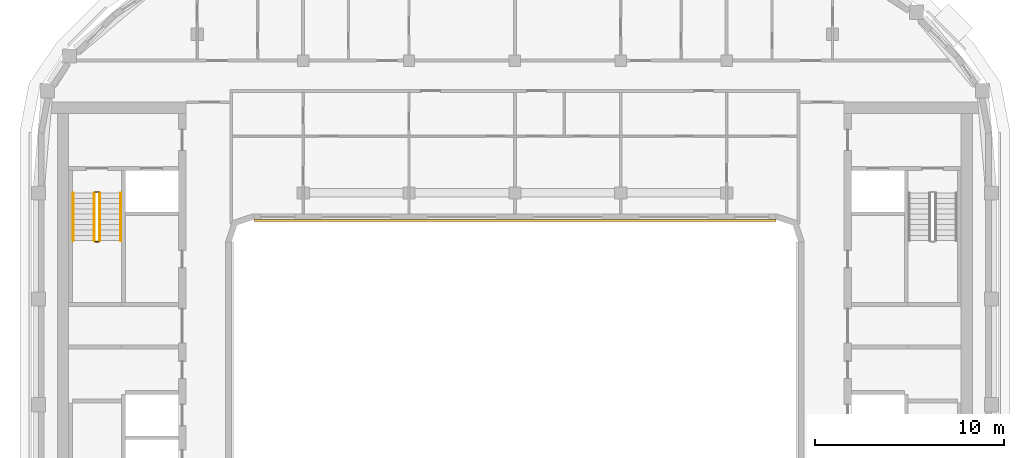
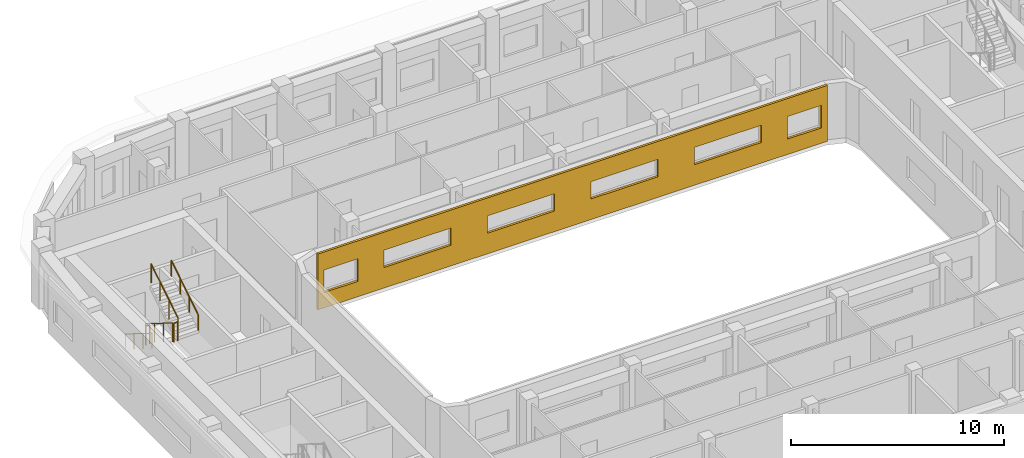
# One storey, part 12 of 16: 6 railings, 1 covering.
"""IFC4 building model written with IfcOpenShell, lengths in metres."""

from ifc_helpers import new_model, si_unit, direction, frame, origin, origin_2d, place, context, subcontext, project, spatial, polyline, circle, outline, extrude, material, layer, layer_set, type_object, element, save


model = new_model("IFC4")

# Units and contexts
model_context = context("Model", 3, precision=1e-05, world=origin(), true_north=direction((0.0, 1.0)))
body_context = subcontext(model_context, "Body", "Model", "MODEL_VIEW")
ifc_project = project(units=[si_unit("LENGTHUNIT", "METRE"), si_unit("AREAUNIT", "SQUARE_METRE"), si_unit("VOLUMEUNIT", "CUBIC_METRE"), si_unit("PLANEANGLEUNIT", "RADIAN"), si_unit("MASSUNIT", "GRAM", prefix="KILO")], contexts=[model_context])

# Site, building, storey
site_placement = place(None, origin())
site = spatial("IfcSite", under=ifc_project, at=site_placement, CompositionType="ELEMENT")
building_placement = place(site_placement, origin())
building = spatial("IfcBuilding", under=site, at=building_placement, Name="Kiln Ring Residences", CompositionType="ELEMENT")
storey_placement = place(building_placement, frame((0.0, 0.0, 273.199951171875)))
storey = spatial("IfcBuildingStorey", under=building, at=storey_placement, Name="L71", CompositionType="ELEMENT", Elevation=273.199951171875)

# Railings
ifc_material_1 = material(Name="Stainless steel", Category="steel")
railing_type_1 = type_object("IfcRailingType", Name="CORE-STAIR-GUARD", PredefinedType="GUARDRAIL", material=ifc_material_1)
railing_1_placement = place(storey_placement, frame((-22.25, 8.39990234375, 0.175048828125)))
element("IfcRailing", 1, at=railing_1_placement, inside=storey, type_object=railing_type_1, Name="L71 W-STN stair guard 1", PredefinedType="GUARDRAIL", context=body_context, shape_type="SweptSolid", body=[
    extrude(circle(Radius=0.02392578125, at=origin_2d()), frame((0.0, 0.0, 1.076171875), z_axis=(0.0, -0.848007534815, 0.529984170421), x_axis=(1.0, 0.0, 0.0)), (0.0, 0.0, 1.0), 2.9716796875),
    extrude(circle(Radius=0.02099609375, at=origin_2d()), origin(), (0.0, 0.0, 1.0), 1.052001953125),
    extrude(circle(Radius=0.02099609375, at=origin_2d()), frame((0.0, -0.840087890625, 0.52490234375)), (0.0, 0.0, 1.0), 1.052001953125),
    extrude(circle(Radius=0.02099609375, at=origin_2d()), frame((0.0, -1.679931640625, 1.050048828125)), (0.0, 0.0, 1.0), 1.052001953125),
    extrude(circle(Radius=0.02099609375, at=origin_2d()), frame((0.0, -2.52001953125, 1.574951171875)), (0.0, 0.0, 1.0), 1.052001953125),
])
railing_2_placement = place(storey_placement, frame((-22.199951171875, 5.830078125, 1.75)))
element("IfcRailing", 2, at=railing_2_placement, inside=storey, type_object=railing_type_1, Name="L71 W-STN stair guard 2", PredefinedType="GUARDRAIL", context=body_context, shape_type="SweptSolid", body=[
    extrude(circle(Radius=0.02392578125, at=origin_2d()), frame((0.0, 0.0, 1.076171875), z_axis=(1.0, 0.0, 0.0), x_axis=(0.0, 1.0, 0.0)), (0.0, 0.0, 1.0), 0.199951171875),
    extrude(circle(Radius=0.02099609375, at=origin_2d()), origin(), (0.0, 0.0, 1.0), 1.052001953125),
    extrude(circle(Radius=0.02099609375, at=origin_2d()), frame((0.199951171875, 0.0, 0.0)), (0.0, 0.0, 1.0), 1.052001953125),
])
railing_3_placement = place(storey_placement, frame((-21.949951171875, 5.8798828125, 1.925048828125)))
element("IfcRailing", 3, at=railing_3_placement, inside=storey, type_object=railing_type_1, Name="L71 W-STN stair guard 3", PredefinedType="GUARDRAIL", context=body_context, shape_type="SweptSolid", body=[
    extrude(circle(Radius=0.02392578125, at=origin_2d()), frame((0.0, 0.0, 1.076171875), z_axis=(0.0, 0.848007534815, 0.529984170421), x_axis=(-1.0, 0.0, 0.0)), (0.0, 0.0, 1.0), 2.9716796875),
    extrude(circle(Radius=0.02099609375, at=origin_2d()), origin(), (0.0, 0.0, 1.0), 1.052001953125),
    extrude(circle(Radius=0.02099609375, at=origin_2d()), frame((0.0, 0.840087890625, 0.52490234375)), (0.0, 0.0, 1.0), 1.052001953125),
    extrude(circle(Radius=0.02099609375, at=origin_2d()), frame((0.0, 1.679931640625, 1.050048828125)), (0.0, 0.0, 1.0), 1.052001953125),
    extrude(circle(Radius=0.02099609375, at=origin_2d()), frame((0.0, 2.52001953125, 1.574951171875)), (0.0, 0.0, 1.0), 1.052001953125),
])
railing_4_placement = place(storey_placement, frame((-22.199951171875, 8.449951171875, 0.0)))
element("IfcRailing", 4, at=railing_4_placement, inside=storey, type_object=railing_type_1, Name="L71 W-STN stair guard 4", PredefinedType="GUARDRAIL", context=body_context, shape_type="SweptSolid", body=[
    extrude(circle(Radius=0.02392578125, at=origin_2d()), frame((0.0, 0.0, 1.076171875), z_axis=(1.0, 0.0, 0.0), x_axis=(0.0, 1.0, 0.0)), (0.0, 0.0, 1.0), 0.199951171875),
    extrude(circle(Radius=0.02099609375, at=origin_2d()), origin(), (0.0, 0.0, 1.0), 1.052001953125),
    extrude(circle(Radius=0.02099609375, at=origin_2d()), frame((0.199951171875, 0.0, 0.0)), (0.0, 0.0, 1.0), 1.052001953125),
])
ifc_material_2 = material(Name="Stainless steel", Category="steel")
railing_type_2 = type_object("IfcRailingType", Name="CORE-STAIR-HANDRAIL", PredefinedType="HANDRAIL", material=ifc_material_2)
railing_5_placement = place(storey_placement, frame((-23.35009765625, 8.39990234375, 0.175048828125)))
element("IfcRailing", 5, at=railing_5_placement, inside=storey, type_object=railing_type_2, Name="L71 W-STN stair handrail 1", PredefinedType="HANDRAIL", context=body_context, shape_type="SweptSolid", body=[
    extrude(circle(Radius=0.02392578125, at=origin_2d()), frame((0.0, 0.0, 0.8759765625), z_axis=(0.0, -0.848007534815, 0.529984170421), x_axis=(1.0, 0.0, 0.0)), (0.0, 0.0, 1.0), 2.9716796875),
    extrude(circle(Radius=0.02099609375, at=origin_2d()), origin(), (0.0, 0.0, 1.0), 0.851806640625),
    extrude(circle(Radius=0.02099609375, at=origin_2d()), frame((0.0, -0.840087890625, 0.52490234375)), (0.0, 0.0, 1.0), 0.851806640625),
    extrude(circle(Radius=0.02099609375, at=origin_2d()), frame((0.0, -1.679931640625, 1.050048828125)), (0.0, 0.0, 1.0), 0.851806640625),
    extrude(circle(Radius=0.02099609375, at=origin_2d()), frame((0.0, -2.52001953125, 1.574951171875)), (0.0, 0.0, 1.0), 0.851806640625),
])
railing_6_placement = place(storey_placement, frame((-20.85009765625, 5.8798828125, 1.925048828125)))
element("IfcRailing", 6, at=railing_6_placement, inside=storey, type_object=railing_type_2, Name="L71 W-STN stair handrail 2", PredefinedType="HANDRAIL", context=body_context, shape_type="SweptSolid", body=[
    extrude(circle(Radius=0.02392578125, at=origin_2d()), frame((0.0, 0.0, 0.8759765625), z_axis=(0.0, 0.848007534815, 0.529984170421), x_axis=(-1.0, 0.0, 0.0)), (0.0, 0.0, 1.0), 2.9716796875),
    extrude(circle(Radius=0.02099609375, at=origin_2d()), origin(), (0.0, 0.0, 1.0), 0.851806640625),
    extrude(circle(Radius=0.02099609375, at=origin_2d()), frame((0.0, 0.840087890625, 0.52490234375)), (0.0, 0.0, 1.0), 0.851806640625),
    extrude(circle(Radius=0.02099609375, at=origin_2d()), frame((0.0, 1.679931640625, 1.050048828125)), (0.0, 0.0, 1.0), 0.851806640625),
    extrude(circle(Radius=0.02099609375, at=origin_2d()), frame((0.0, 2.52001953125, 1.574951171875)), (0.0, 0.0, 1.0), 0.851806640625),
])

# Covering
ifc_material_3 = material(Name="Brick masonry, dark clay brick", Category="masonry")
ifc_layer = layer(ifc_material_3, 0.1201171875)
ifc_layer_set = layer_set([ifc_layer], Name="RAINSCREEN PANEL 120")
covering_type = type_object("IfcCoveringType", Name="RAINSCREEN PANEL 120", PredefinedType="CLADDING", material=ifc_layer_set)
covering_placement = place(storey_placement, frame((-13.800048828125, 6.93994140625, 0.0), z_axis=(0.0, 0.0, 1.0), x_axis=(1.0, 0.0, 0.0)))
element("IfcCovering", 7, at=covering_placement, inside=storey, type_object=covering_type, Name="RAINSCREEN L71", PredefinedType="CLADDING", context=body_context, shape_type="SweptSolid", body=[
    extrude(outline(polyline([(0.0, 0.0), (27.60009765625, 0.0), (27.60009765625, 3.199951171875), (0.0, 3.199951171875), (0.0, 0.0)]), holes=[polyline([(2.1826171875, 0.880126953125), (2.1826171875, 2.170166015625), (0.342529296875, 2.170166015625), (0.342529296875, 0.880126953125), (2.1826171875, 0.880126953125)]), polyline([(25.41748046875, 0.880126953125), (27.257568359375, 0.880126953125), (27.257568359375, 2.170166015625), (25.41748046875, 2.170166015625), (25.41748046875, 0.880126953125)]), polyline([(3.580078125, 1.179931640625), (7.219970703125, 1.179931640625), (7.219970703125, 2.170166015625), (3.580078125, 2.170166015625), (3.580078125, 1.179931640625)]), polyline([(12.820068359375, 1.179931640625), (12.820068359375, 2.170166015625), (9.179931640625, 2.170166015625), (9.179931640625, 1.179931640625), (12.820068359375, 1.179931640625)]), polyline([(14.780029296875, 1.179931640625), (18.419921875, 1.179931640625), (18.419921875, 2.170166015625), (14.780029296875, 2.170166015625), (14.780029296875, 1.179931640625)]), polyline([(20.3798828125, 1.179931640625), (24.02001953125, 1.179931640625), (24.02001953125, 2.170166015625), (20.3798828125, 2.170166015625), (20.3798828125, 1.179931640625)])]), frame((0.0, 0.06005859375, 0.0), z_axis=(0.0, -1.0, 0.0), x_axis=(1.0, 0.0, 0.0)), (0.0, 0.0, 1.0), 0.1201171875),
])

save(model, "model.ifc")
